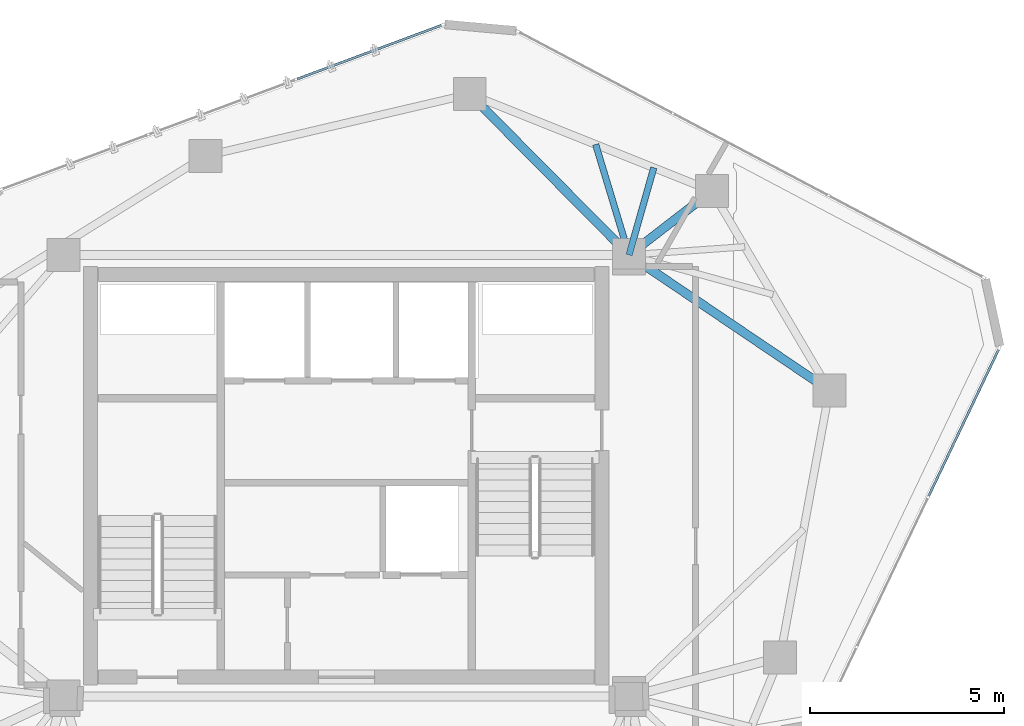
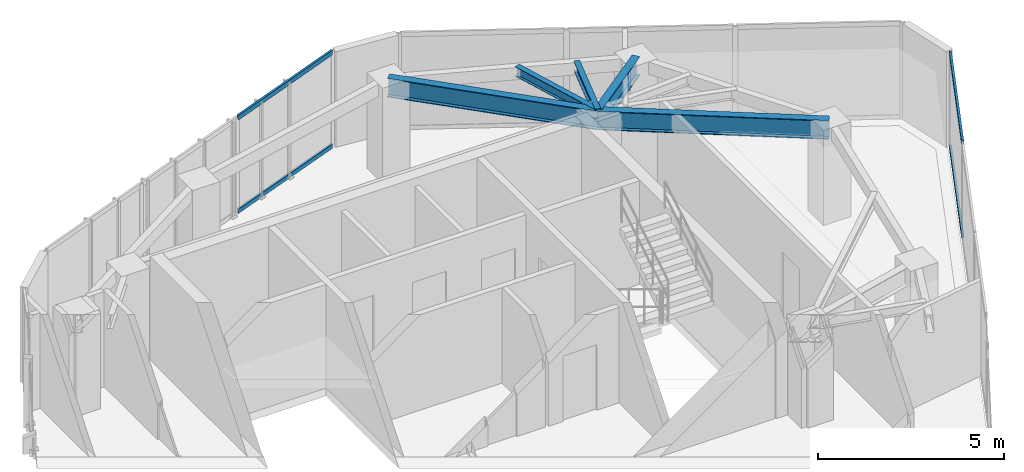
# One storey, part 13 of 20: 5 beams, 4 members, 2 elements without a shape of their own.
"""IFC4 building model written with IfcOpenShell, lengths in metres."""

from ifc_helpers import new_model, si_unit, direction, frame, origin, origin_2d, place, context, subcontext, project, spatial, hollow_rectangle, i_section, extrude, source, transform, mapped, material, layer, layer_set, material_profile, profile_set, type_object, type_shapes, element, aggregate, save


model = new_model("IFC4")

# Units and contexts
model_context = context("Model", 3, precision=1e-05, world=origin(), true_north=direction((0.0, 1.0)))
body_context = subcontext(model_context, "Body", "Model", "MODEL_VIEW")
ifc_project = project(units=[si_unit("LENGTHUNIT", "METRE"), si_unit("AREAUNIT", "SQUARE_METRE"), si_unit("VOLUMEUNIT", "CUBIC_METRE"), si_unit("PLANEANGLEUNIT", "RADIAN"), si_unit("MASSUNIT", "GRAM", prefix="KILO")], contexts=[model_context])

# Site, building, storey
site_placement = place(None, origin())
site = spatial("IfcSite", under=ifc_project, at=site_placement, CompositionType="ELEMENT")
building_placement = place(site_placement, origin())
building = spatial("IfcBuilding", under=site, at=building_placement, Name="Talar Marvaseh", CompositionType="ELEMENT")
storey_placement = place(building_placement, frame((0.0, 0.0, 281.60009765625)))
storey = spatial("IfcBuildingStorey", under=building, at=storey_placement, Name="L75", CompositionType="ELEMENT", Elevation=281.60009765625)

# Beams
ifc_material_1 = material(Name="Steel S355", Category="steel")
ifc_material_profile_1 = material_profile(ifc_material_1, i_section(OverallWidth=0.166015625, OverallDepth=0.31298828125, WebThickness=0.006591796875, FlangeThickness=0.01123046875, at=origin_2d()), Name="W310x45")
ifc_profile_set_1 = profile_set([ifc_material_profile_1], Name="Steel S355")
beam_type_1 = type_object("IfcBeamType", Name="Zone 3 Secondary Floor Joist W310x45", PredefinedType="JOIST", material=ifc_profile_set_1)
beam_1_placement = place(storey_placement, frame((32.43798828125, 39.75146484375, 2.9833984375), z_axis=(0.289377277289, -0.957215122837, 0.0), x_axis=(0.957215122837, 0.289377277289, 0.0)))
element("IfcBeam", 1, at=beam_1_placement, inside=storey, type_object=beam_type_1, Name="L75 Zone 3 Secondary Floor Joist W310x45", PredefinedType="JOIST", context=body_context, shape_type="SweptSolid", body=[
    extrude(i_section(OverallWidth=0.166015625, OverallDepth=0.31298828125, WebThickness=0.006591796875, FlangeThickness=0.01123046875, at=origin_2d()), origin(), (0.0, 0.0, 1.0), 2.97900390625),
])
beam_2_placement = place(storey_placement, frame((33.93798828125, 39.151123046875, 2.9833984375), z_axis=(-0.272639596879, -0.962116235293, 0.0), x_axis=(0.962116235293, -0.272639596879, 0.0)))
element("IfcBeam", 2, at=beam_2_placement, inside=storey, type_object=beam_type_1, Name="L75 Zone 3 Secondary Floor Joist W310x45", PredefinedType="JOIST", context=body_context, shape_type="SweptSolid", body=[
    extrude(i_section(OverallWidth=0.166015625, OverallDepth=0.31298828125, WebThickness=0.006591796875, FlangeThickness=0.01123046875, at=origin_2d()), origin(), (0.0, 0.0, 1.0), 2.33984375),
])
ifc_material_profile_2 = material_profile(ifc_material_1, i_section(OverallWidth=0.22998046875, OverallDepth=0.616943359375, WebThickness=0.01318359375, FlangeThickness=0.022216796875, at=origin_2d()), Name="W610x140")
ifc_profile_set_2 = profile_set([ifc_material_profile_2], Name="Steel S355")
beam_type_2 = type_object("IfcBeamType", Name="Zone 4 Radial Floor Girder W610x140", PredefinedType="BEAM", material=ifc_profile_set_2)
beam_3_placement = place(storey_placement, frame((29.18798828125, 41.052001953125, 2.831298828125), z_axis=(0.703672658083, -0.710524306598, 0.0), x_axis=(0.710524306598, 0.703672658083, 0.0)))
element("IfcBeam", 3, at=beam_3_placement, inside=storey, type_object=beam_type_2, Name="L75 Zone 4 Radial Floor Girder W610x140", PredefinedType="BEAM", context=body_context, shape_type="SweptSolid", body=[
    extrude(i_section(OverallWidth=0.22998046875, OverallDepth=0.616943359375, WebThickness=0.01318359375, FlangeThickness=0.022216796875, at=origin_2d()), origin(), (0.0, 0.0, 1.0), 5.84375),
])
beam_4_placement = place(storey_placement, frame((35.43798828125, 38.551025390625, 2.831298828125), z_axis=(-0.791449946636, -0.611233982996, 0.0), x_axis=(0.611233982996, -0.791449946636, 0.0)))
element("IfcBeam", 4, at=beam_4_placement, inside=storey, type_object=beam_type_2, Name="L75 Zone 4 Radial Floor Girder W610x140", PredefinedType="BEAM", context=body_context, shape_type="SweptSolid", body=[
    extrude(i_section(OverallWidth=0.22998046875, OverallDepth=0.616943359375, WebThickness=0.01318359375, FlangeThickness=0.022216796875, at=origin_2d()), origin(), (0.0, 0.0, 1.0), 2.701416015625),
])
beam_5_placement = place(storey_placement, frame((38.470947265625, 33.406005859375, 2.831298828125), z_axis=(-0.828585535277, 0.559862492698, 0.0), x_axis=(-0.559862492698, -0.828585535277, 0.0)))
element("IfcBeam", 5, at=beam_5_placement, inside=storey, type_object=beam_type_2, Name="L75 Zone 4 Radial Floor Girder W610x140", PredefinedType="BEAM", context=body_context, shape_type="SweptSolid", body=[
    extrude(i_section(OverallWidth=0.22998046875, OverallDepth=0.616943359375, WebThickness=0.01318359375, FlangeThickness=0.022216796875, at=origin_2d()), origin(), (0.0, 0.0, 1.0), 6.24072265625),
])

# Curtain wall, members
ifc_material_2 = material(Name="Architectural Aluminium", Category="aluminium")
ifc_layer = layer(ifc_material_2, 0.179931640625)
ifc_layer_set = layer_set([ifc_layer], Name="Architectural Aluminium")
curtain_wall_type = type_object("IfcCurtainWallType", Name="Unitised High-Wind Sky Curtain Wall Z4", PredefinedType="NOTDEFINED", material=ifc_layer_set)
curtain_wall_1_placement = place(storey_placement, origin())
curtain_wall_1 = element("IfcCurtainWall", 6, at=curtain_wall_1_placement, inside=storey, type_object=curtain_wall_type, Name="L75 Unitised High-Wind Sky Curtain Wall Z4", PredefinedType="NOTDEFINED")
ifc_material_profile_3 = material_profile(ifc_material_2, hollow_rectangle(XDim=0.06494140625, YDim=0.14990234375, WallThickness=0.00390625, at=origin_2d()), Name="RHS150x65x4")
ifc_profile_set_3 = profile_set([ifc_material_profile_3], Name="Architectural Aluminium")
member_type = type_object("IfcMemberType", Name="Unitised Curtain Wall Slim Transom RHS150x65x4", PredefinedType="USERDEFINED", material=ifc_profile_set_3)
shared_shape_1 = source(origin(), body_context, "Body", "SweptSolid", [
    extrude(hollow_rectangle(XDim=0.06494140625, YDim=0.14990234375, WallThickness=0.00390625, at=origin_2d()), origin(), (0.0, 0.0, 1.0), 3.97119140625),
])
member_1_placement = place(storey_placement, frame((24.73388671875, 41.439697265625, 0.032470703125), z_axis=(0.937069888937, 0.349141838294, 0.0), x_axis=(-0.349141838294, 0.937069888937, 0.0)))
member_1 = element("IfcMember", 7, at=member_1_placement, type_object=member_type, Name="CW-Z4 transom 3.1", ObjectType="TRANSOM", PredefinedType="USERDEFINED", context=body_context, shape_type="MappedRepresentation", body=[
    mapped(shared_shape_1, transform((0.0, 0.0, 0.0), x_axis=(1.0, 0.0, 0.0), y_axis=(0.0, 1.0, 0.0), z_axis=(0.0, 0.0, 1.0), scale=1.0)),
])
member_2_placement = place(storey_placement, frame((24.73388671875, 41.439697265625, 3.107421875), z_axis=(0.937069888937, 0.349141838294, 0.0), x_axis=(-0.349141838294, 0.937069888937, 0.0)))
member_2 = element("IfcMember", 8, at=member_2_placement, type_object=member_type, Name="CW-Z4 transom 3.2", ObjectType="TRANSOM", PredefinedType="USERDEFINED", context=body_context, shape_type="MappedRepresentation", body=[
    mapped(shared_shape_1, transform((0.0, 0.0, 0.0), x_axis=(1.0, 0.0, 0.0), y_axis=(0.0, 1.0, 0.0), z_axis=(0.0, 0.0, 1.0), scale=1.0)),
])
aggregate(curtain_wall_1, [member_1, member_2])

curtain_wall_2_placement = place(storey_placement, origin())
curtain_wall_2 = element("IfcCurtainWall", 9, at=curtain_wall_2_placement, inside=storey, type_object=curtain_wall_type, Name="L75 Unitised High-Wind Sky Curtain Wall Z4", PredefinedType="NOTDEFINED")
shared_shape_2 = source(origin(), body_context, "Body", "SweptSolid", [
    extrude(hollow_rectangle(XDim=0.06494140625, YDim=0.14990234375, WallThickness=0.00390625, at=origin_2d()), origin(), (0.0, 0.0, 1.0), 4.188720703125),
])
type_shapes(member_type, [shared_shape_1, shared_shape_2])
member_3_placement = place(storey_placement, frame((42.8359375, 34.454345703125, 0.032470703125), z_axis=(-0.430677797218, -0.902505753435, 0.0), x_axis=(0.902505753435, -0.430677797218, 0.0)))
member_3 = element("IfcMember", 10, at=member_3_placement, type_object=member_type, Name="CW-Z4 transom 1.1", ObjectType="TRANSOM", PredefinedType="USERDEFINED", context=body_context, shape_type="MappedRepresentation", body=[
    mapped(shared_shape_2, transform((0.0, 0.0, 0.0), x_axis=(1.0, 0.0, 0.0), y_axis=(0.0, 1.0, 0.0), z_axis=(0.0, 0.0, 1.0), scale=1.0)),
])
member_4_placement = place(storey_placement, frame((42.8359375, 34.454345703125, 3.107421875), z_axis=(-0.430677797218, -0.902505753435, 0.0), x_axis=(0.902505753435, -0.430677797218, 0.0)))
member_4 = element("IfcMember", 11, at=member_4_placement, type_object=member_type, Name="CW-Z4 transom 1.2", ObjectType="TRANSOM", PredefinedType="USERDEFINED", context=body_context, shape_type="MappedRepresentation", body=[
    mapped(shared_shape_2, transform((0.0, 0.0, 0.0), x_axis=(1.0, 0.0, 0.0), y_axis=(0.0, 1.0, 0.0), z_axis=(0.0, 0.0, 1.0), scale=1.0)),
])
aggregate(curtain_wall_2, [member_3, member_4])

save(model, "model.ifc")
